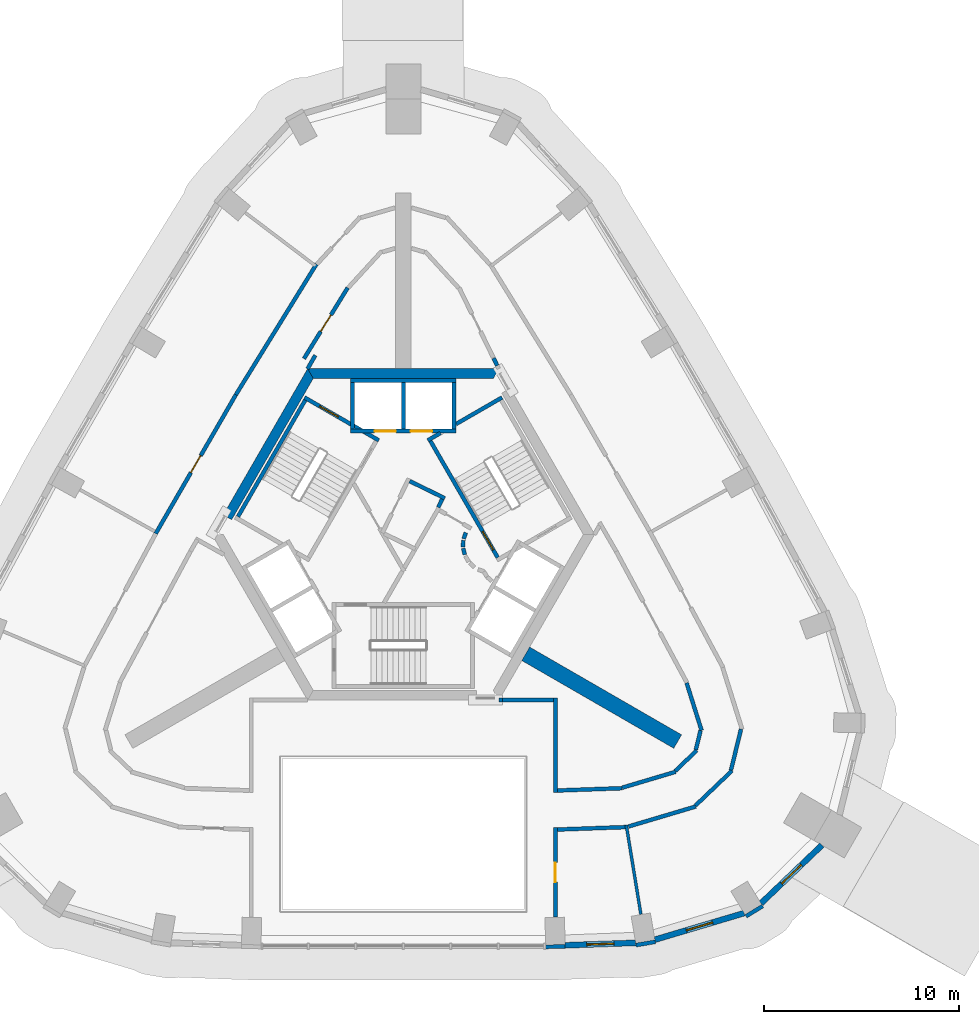
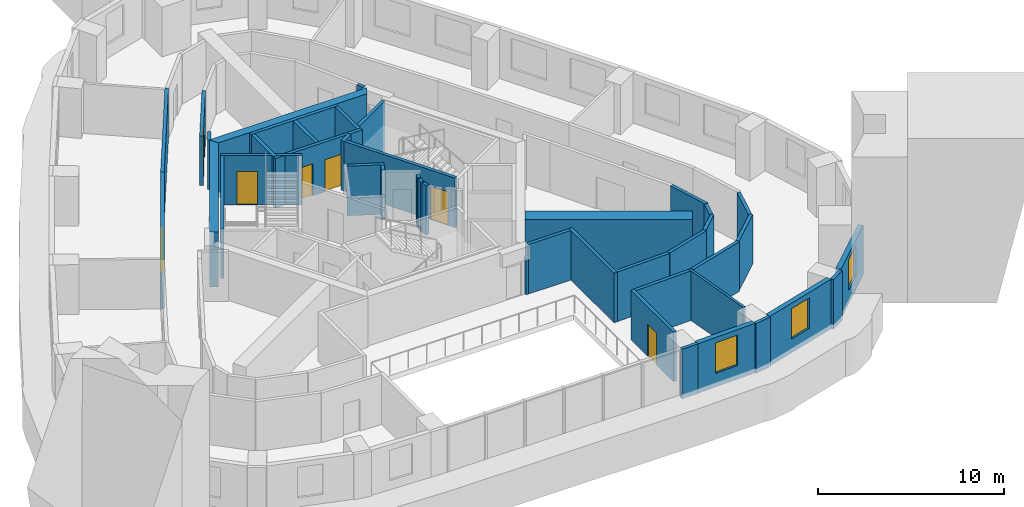
# One storey, part 5 of 11: 43 walls, 7 doors, 3 windows, 10 openings.
"""IFC4 building model written with IfcOpenShell, lengths in metres."""

from ifc_helpers import new_model, si_unit, direction, frame, frame_2d, origin, place, context, subcontext, project, spatial, polyline, rectangle, outline, extrude, material, layer, layer_set, type_object, element, fill, save


model = new_model("IFC4")

# Units and contexts
model_context = context("Model", 3, precision=1e-05, world=origin(), true_north=direction((0.0, 1.0)))
body_context = subcontext(model_context, "Body", "Model", "MODEL_VIEW")
ifc_project = project(units=[si_unit("LENGTHUNIT", "METRE"), si_unit("AREAUNIT", "SQUARE_METRE"), si_unit("VOLUMEUNIT", "CUBIC_METRE"), si_unit("PLANEANGLEUNIT", "RADIAN"), si_unit("MASSUNIT", "GRAM", prefix="KILO")], contexts=[model_context])

# Site, building, storey
site_placement = place(None, origin())
site = spatial("IfcSite", under=ifc_project, at=site_placement, CompositionType="ELEMENT")
building_placement = place(site_placement, origin())
building = spatial("IfcBuilding", under=site, at=building_placement, Name="Entoto Arch Interchange Tower", CompositionType="ELEMENT")
storey_placement = place(building_placement, frame((0.0, 0.0, 308.0)))
storey = spatial("IfcBuildingStorey", under=building, at=storey_placement, Name="L72", CompositionType="ELEMENT", Elevation=308.0)

# Walls
ifc_material_1 = material(Name="Concrete C40/50", Category="concrete")
ifc_layer_1 = layer(ifc_material_1, 0.800048828125)
ifc_layer_set_1 = layer_set([ifc_layer_1], Name="Concrete C40/50")
wall_type_1 = type_object("IfcWallType", Name="Buttress wall 800 C40/50", PredefinedType="SHEAR", material=ifc_layer_set_1)
wall_1_placement = place(storey_placement, frame((6.279052734375, -3.625, -0.340087890625), z_axis=(0.0, 0.0, 1.0), x_axis=(0.866017533419, -0.500013631625, 0.0)))
element("IfcWall", 1, at=wall_1_placement, inside=storey, type_object=wall_type_1, Name="Buttress wall SE L72", PredefinedType="SHEAR", context=body_context, shape_type="SweptSolid", body=[
    extrude(rectangle(XDim=8.999755859375, YDim=0.800048828125, at=frame_2d((4.5, 0.0))), origin(), (0.0, 0.0, 1.0), 3.60009765625),
])
ifc_layer_2 = layer(ifc_material_1, 0.5)
ifc_layer_set_2 = layer_set([ifc_layer_2], Name="Concrete C40/50")
wall_type_2 = type_object("IfcWallType", Name="Core wall 500 C40/50", PredefinedType="SHEAR", material=ifc_layer_set_2)
wall_2_placement = place(storey_placement, frame((0.0, 0.0, -0.340087890625)))
element("IfcWall", 2, at=wall_2_placement, inside=storey, type_object=wall_type_2, Name="Core wall N L72", PredefinedType="SHEAR", context=body_context, shape_type="SweptSolid", body=[
    extrude(outline(polyline([(4.906982421875, 11.0), (-4.906982421875, 11.0), (-4.618896484375, 10.5), (4.618896484375, 10.5), (4.906982421875, 11.0)])), origin(), (0.0, 0.0, 1.0), 3.60009765625),
])
wall_3_placement = place(storey_placement, frame((0.0, 0.0, -0.340087890625)))
element("IfcWall", 3, at=wall_3_placement, inside=storey, type_object=wall_type_2, Name="Core wall NW L72", PredefinedType="SHEAR", context=body_context, shape_type="SweptSolid", body=[
    extrude(outline(polyline([(-9.236083984375, 3.501953125), (-8.802978515625, 3.2529296875), (-4.618896484375, 10.5), (-4.906982421875, 11.0), (-9.236083984375, 3.501953125)])), origin(), (0.0, 0.0, 1.0), 3.60009765625),
])

# Wall, openings, doors
ifc_layer_3 = layer(ifc_material_1, 0.199951171875)
ifc_layer_set_3 = layer_set([ifc_layer_3], Name="Concrete C40/50")
wall_type_3 = type_object("IfcWallType", Name="LIFT SHAFT WALL 200", PredefinedType="STANDARD", material=ifc_layer_set_3)
wall_4_placement = place(storey_placement, frame((2.699951171875, 7.800048828125, 0.0), z_axis=(0.0, 0.0, 1.0), x_axis=(-1.0, 0.0, 0.0)))
wall_4 = element("IfcWall", 4, at=wall_4_placement, inside=storey, type_object=wall_type_3, Name="Shaft wall N1 front", PredefinedType="STANDARD", context=body_context, shape_type="SweptSolid", body=[
    extrude(rectangle(XDim=5.39990234375, YDim=0.199951171875, at=frame_2d((2.699951171875, 0.0))), origin(), (0.0, 0.0, 1.0), 3.260009765625),
])
opening_1_placement = place(wall_4_placement, frame((1.22509765625, 0.0, 0.0)))
opening_1 = element("IfcOpeningElement", 5, at=opening_1_placement, cuts=wall_4, Name="Opening LD-HR1-L72", PredefinedType="OPENING", context=body_context, shape_type="SweptSolid", body=[
    extrude(rectangle(XDim=1.10009765625, YDim=2.10009765625, at=frame_2d((0.550048828125, 1.050048828125))), frame((0.0, 0.10986328125, 0.0), z_axis=(0.0, -1.0, 0.0), x_axis=(1.0, 0.0, 0.0)), (0.0, 0.0, 1.0), 0.219970703125),
])
opening_2_placement = place(wall_4_placement, frame((3.074951171875, 0.0, 0.0)))
opening_2 = element("IfcOpeningElement", 6, at=opening_2_placement, cuts=wall_4, Name="Opening LD-HR2-L72", PredefinedType="OPENING", context=body_context, shape_type="SweptSolid", body=[
    extrude(rectangle(XDim=1.10009765625, YDim=2.10009765625, at=frame_2d((0.550048828125, 1.050048828125))), frame((0.0, 0.10986328125, 0.0), z_axis=(0.0, -1.0, 0.0), x_axis=(1.0, 0.0, 0.0)), (0.0, 0.0, 1.0), 0.219970703125),
])
ifc_material_2 = material(Name="Stainless steel 1.4301 panels", Category="steel")
door_type_1 = type_object("IfcDoorType", Name="LIFT LANDING DOOR LD1 1100x2100", OperationType="SLIDING_TO_LEFT", PredefinedType="DOOR", material=ifc_material_2)
door_1_placement = place(opening_1_placement, origin())
door_1 = element("IfcDoor", 7, at=door_1_placement, inside=storey, type_object=door_type_1, Name="Lift landing door HR1 L72", OperationType="SLIDING_TO_LEFT", OverallHeight=2.10009765625, OverallWidth=1.10009765625, PredefinedType="DOOR", context=body_context, shape_type="SweptSolid", body=[
    extrude(rectangle(XDim=1.10009765625, YDim=2.10009765625, at=frame_2d((0.550048828125, 1.050048828125))), frame((0.0, 0.02490234375, 0.0), z_axis=(0.0, -1.0, 0.0), x_axis=(1.0, 0.0, 0.0)), (0.0, 0.0, 1.0), 0.050048828125),
])
fill(opening_1, door_1)
door_2_placement = place(opening_2_placement, origin())
door_2 = element("IfcDoor", 8, at=door_2_placement, inside=storey, type_object=door_type_1, Name="Lift landing door HR2 L72", OperationType="SLIDING_TO_LEFT", OverallHeight=2.10009765625, OverallWidth=1.10009765625, PredefinedType="DOOR", context=body_context, shape_type="SweptSolid", body=[
    extrude(rectangle(XDim=1.10009765625, YDim=2.10009765625, at=frame_2d((0.550048828125, 1.050048828125))), frame((0.0, 0.02490234375, 0.0), z_axis=(0.0, -1.0, 0.0), x_axis=(1.0, 0.0, 0.0)), (0.0, 0.0, 1.0), 0.050048828125),
])
fill(opening_2, door_2)

# Walls
wall_5_placement = place(storey_placement, frame((2.699951171875, 10.39990234375, 0.0), z_axis=(0.0, 0.0, 1.0), x_axis=(-1.0, 0.0, 0.0)))
element("IfcWall", 9, at=wall_5_placement, inside=storey, type_object=wall_type_3, Name="Shaft wall N1 back", PredefinedType="STANDARD", context=body_context, shape_type="SweptSolid", body=[
    extrude(rectangle(XDim=5.39990234375, YDim=0.199951171875, at=frame_2d((2.699951171875, 0.0))), origin(), (0.0, 0.0, 1.0), 3.260009765625),
])
for number, where, z_axis, x_axis, name in (
    (10, (2.60009765625, 7.89990234375, 0.0), (0.0, 0.0, 1.0), (0.0, 1.0, 0.0), "Shaft wall N1 cross 1"),
    (11, (0.0, 7.89990234375, 0.0), (0.0, 0.0, 1.0), (0.0, 1.0, 0.0), "Shaft wall N1 cross 2"),
    (12, (-2.60009765625, 7.89990234375, 0.0), (0.0, 0.0, 1.0), (0.0, 1.0, 0.0), "Shaft wall N1 cross 3"),
):
    element("IfcWall", number, at=place(storey_placement, frame(where, z_axis=z_axis, x_axis=x_axis)), inside=storey, type_object=wall_type_3, Name=name, PredefinedType="STANDARD", context=body_context, shape_type="SweptSolid", body=[
        extrude(rectangle(XDim=2.400146484375, YDim=0.199951171875, at=frame_2d((1.2001953125, 0.0))), origin(), (0.0, 0.0, 1.0), 3.260009765625),
    ])
ifc_material_3 = material(Name="Gypsum board partition on steel studs", Category="steel")
ifc_layer_4 = layer(ifc_material_3, 0.14990234375)
ifc_layer_set_4 = layer_set([ifc_layer_4], Name="Gypsum board partition on steel studs")
wall_type_4 = type_object("IfcWallType", Name="PARTITION 150", PredefinedType="PARTITIONING", material=ifc_layer_set_4)
wall_6_placement = place(storey_placement, frame((11.43798828125, -12.4140625, 0.0), z_axis=(0.0, 0.0, 1.0), x_axis=(0.161576343941, -0.986860215572, 0.0)))
element("IfcWall", 13, at=wall_6_placement, inside=storey, type_object=wall_type_4, Name="wall:L72:p069", PredefinedType="PARTITIONING", context=body_context, shape_type="SweptSolid", body=[
    extrude(rectangle(XDim=4.629638671875, YDim=0.14990234375, at=frame_2d((2.31494140625, 0.0))), origin(), (0.0, 0.0, 1.0), 3.260009765625),
])
ifc_layer_5 = layer(ifc_material_3, 0.199951171875)
ifc_layer_set_5 = layer_set([ifc_layer_5], Name="Gypsum board partition on steel studs")
wall_type_5 = type_object("IfcWallType", Name="PARTITION 200", PredefinedType="PARTITIONING", material=ifc_layer_set_5)
wall_7_placement = place(storey_placement, frame((1.7900390625, 3.887939453125, 0.0), z_axis=(0.0, 0.0, 1.0), x_axis=(0.437807406823, 0.899068781869, 0.0)))
element("IfcWall", 14, at=wall_7_placement, inside=storey, type_object=wall_type_5, Name="wall:L72:p002", PredefinedType="PARTITIONING", context=body_context, shape_type="SweptSolid", body=[
    extrude(rectangle(XDim=0.468505859375, YDim=0.199951171875, at=frame_2d((0.234375, 0.0))), origin(), (0.0, 0.0, 1.0), 3.260009765625),
])
wall_8_placement = place(storey_placement, frame((2.1279296875, 4.35498046875, 0.0), z_axis=(0.0, 0.0, 1.0), x_axis=(-0.898876404494, 0.438202247191, 0.0)))
element("IfcWall", 15, at=wall_8_placement, inside=storey, type_object=wall_type_5, Name="wall:L72:p003", PredefinedType="PARTITIONING", context=body_context, shape_type="SweptSolid", body=[
    extrude(rectangle(XDim=1.9990234375, YDim=0.199951171875, at=frame_2d((0.99951171875, 0.0))), origin(), (0.0, 0.0, 1.0), 3.260009765625),
])

# Wall, opening, door
wall_9_placement = place(storey_placement, frame((-2.85205078125, 15.152099609375, 0.0), z_axis=(0.0, 0.0, 1.0), x_axis=(-0.525050105661, -0.851071316956, 0.0)))
wall_9 = element("IfcWall", 16, at=wall_9_placement, inside=storey, type_object=wall_type_5, Name="wall:L72:p012", PredefinedType="PARTITIONING", context=body_context, shape_type="SweptSolid", body=[
    extrude(rectangle(XDim=4.273681640625, YDim=0.199951171875, at=frame_2d((2.13671875, 0.0))), origin(), (0.0, 0.0, 1.0), 3.260009765625),
])
opening_3_placement = place(wall_9_placement, frame((1.636962890625, 0.0, 0.0)))
opening_3 = element("IfcOpeningElement", 17, at=opening_3_placement, cuts=wall_9, Name="Opening L72-D10", PredefinedType="OPENING", context=body_context, shape_type="SweptSolid", body=[
    extrude(rectangle(XDim=1.0, YDim=2.10009765625, at=frame_2d((0.5, 1.050048828125))), frame((0.0, 0.10986328125, 0.0), z_axis=(0.0, -1.0, 0.0), x_axis=(1.0, 0.0, 0.0)), (0.0, 0.0, 1.0), 0.219970703125),
])
ifc_material_4 = material(Name="Timber door leaf in Steel S235 frame", Category="steel")
door_type_2 = type_object("IfcDoorType", Name="DOOR DS-10 1000x2100", OperationType="SINGLE_SWING_LEFT", PredefinedType="DOOR", material=ifc_material_4)
door_3_placement = place(opening_3_placement, origin())
door_3 = element("IfcDoor", 18, at=door_3_placement, inside=storey, type_object=door_type_2, Name="door:L72:10", OperationType="SINGLE_SWING_LEFT", OverallHeight=2.10009765625, OverallWidth=1.0, PredefinedType="DOOR", context=body_context, shape_type="SweptSolid", body=[
    extrude(rectangle(XDim=1.0, YDim=2.10009765625, at=frame_2d((0.5, 1.050048828125))), frame((0.0, 0.02490234375, 0.0), z_axis=(0.0, -1.0, 0.0), x_axis=(1.0, 0.0, 0.0)), (0.0, 0.0, 1.0), 0.050048828125),
])
fill(opening_3, door_3)

# Walls
wall_10_placement = place(storey_placement, frame((-4.512939453125, 11.68701171875, 0.0), z_axis=(0.0, 0.0, 1.0), x_axis=(-0.499556546863, -0.866281280235, 0.0)))
element("IfcWall", 19, at=wall_10_placement, inside=storey, type_object=wall_type_5, Name="wall:L72:p013", PredefinedType="PARTITIONING", context=body_context, shape_type="SweptSolid", body=[
    extrude(rectangle(XDim=0.806884765625, YDim=0.199951171875, at=frame_2d((0.4033203125, 0.0))), origin(), (0.0, 0.0, 1.0), 3.260009765625),
])
wall_11_placement = place(storey_placement, frame((7.89990234375, -10.636962890625, 0.0), z_axis=(0.0, 0.0, 1.0), x_axis=(0.999372900517, 0.035409119054, 0.0)))
element("IfcWall", 20, at=wall_11_placement, inside=storey, type_object=wall_type_5, Name="wall:L72:p014", PredefinedType="PARTITIONING", context=body_context, shape_type="SweptSolid", body=[
    extrude(rectangle(XDim=3.330322265625, YDim=0.199951171875, at=frame_2d((1.6650390625, 0.0))), origin(), (0.0, 0.0, 1.0), 3.260009765625),
])
wall_12_placement = place(storey_placement, frame((11.22412109375, -10.493896484375, 0.0), z_axis=(0.0, 0.0, 1.0), x_axis=(0.958417413979, 0.285370041492, 0.0)))
element("IfcWall", 21, at=wall_12_placement, inside=storey, type_object=wall_type_5, Name="wall:L72:p015", PredefinedType="PARTITIONING", context=body_context, shape_type="SweptSolid", body=[
    extrude(rectangle(XDim=2.865966796875, YDim=0.199951171875, at=frame_2d((1.43310546875, 0.0))), origin(), (0.0, 0.0, 1.0), 3.260009765625),
])
wall_13_placement = place(storey_placement, frame((13.947021484375, -9.635986328125, 0.0), z_axis=(0.0, 0.0, 1.0), x_axis=(0.723283043556, 0.690551691696, 0.0)))
element("IfcWall", 22, at=wall_13_placement, inside=storey, type_object=wall_type_5, Name="wall:L72:p016", PredefinedType="PARTITIONING", context=body_context, shape_type="SweptSolid", body=[
    extrude(rectangle(XDim=1.529052734375, YDim=0.199951171875, at=frame_2d((0.7646484375, 0.0))), origin(), (0.0, 0.0, 1.0), 3.260009765625),
])
wall_14_placement = place(storey_placement, frame((15.00390625, -8.552001953125, 0.0), z_axis=(0.0, 0.0, 1.0), x_axis=(0.237373129266, 0.971418549083, 0.0)))
element("IfcWall", 23, at=wall_14_placement, inside=storey, type_object=wall_type_5, Name="wall:L72:p017", PredefinedType="PARTITIONING", context=body_context, shape_type="SweptSolid", body=[
    extrude(rectangle(XDim=1.0244140625, YDim=0.199951171875, at=frame_2d((0.51220703125, 0.0))), origin(), (0.0, 0.0, 1.0), 3.260009765625),
])
wall_15_placement = place(storey_placement, frame((15.300048828125, -7.554931640625, 0.0), z_axis=(0.0, 0.0, 1.0), x_axis=(-0.300501248013, 0.953781421471, 0.0)))
element("IfcWall", 24, at=wall_15_placement, inside=storey, type_object=wall_type_5, Name="wall:L72:p018", PredefinedType="PARTITIONING", context=body_context, shape_type="SweptSolid", body=[
    extrude(rectangle(XDim=2.55908203125, YDim=0.199951171875, at=frame_2d((1.279541015625, 0.0))), origin(), (0.0, 0.0, 1.0), 3.260009765625),
])
wall_16_placement = place(storey_placement, frame((11.47900390625, -12.511962890625, 0.0), z_axis=(0.0, 0.0, 1.0), x_axis=(-0.999371508837, -0.035448375484, 0.0)))
element("IfcWall", 25, at=wall_16_placement, inside=storey, type_object=wall_type_5, Name="wall:L72:p030", PredefinedType="PARTITIONING", context=body_context, shape_type="SweptSolid", body=[
    extrude(rectangle(XDim=3.581298828125, YDim=0.199951171875, at=frame_2d((1.79052734375, 0.0))), origin(), (0.0, 0.0, 1.0), 3.260009765625),
])
wall_17_placement = place(storey_placement, frame((17.322021484375, -7.488037109375, 0.0), z_axis=(0.0, 0.0, 1.0), x_axis=(-0.23664760587, -0.971595548897, 0.0)))
element("IfcWall", 26, at=wall_17_placement, inside=storey, type_object=wall_type_5, Name="wall:L72:p033", PredefinedType="PARTITIONING", context=body_context, shape_type="SweptSolid", body=[
    extrude(rectangle(XDim=2.16748046875, YDim=0.199951171875, at=frame_2d((1.083740234375, 0.0))), origin(), (0.0, 0.0, 1.0), 3.260009765625),
])
wall_18_placement = place(storey_placement, frame((16.85693359375, -9.6220703125, 0.0), z_axis=(0.0, 0.0, 1.0), x_axis=(-0.723099256445, -0.690744138831, 0.0)))
element("IfcWall", 27, at=wall_18_placement, inside=storey, type_object=wall_type_5, Name="wall:L72:p034", PredefinedType="PARTITIONING", context=body_context, shape_type="SweptSolid", body=[
    extrude(rectangle(XDim=2.595703125, YDim=0.199951171875, at=frame_2d((1.2978515625, 0.0))), origin(), (0.0, 0.0, 1.0), 3.260009765625),
])
wall_19_placement = place(storey_placement, frame((15.00390625, -11.4560546875, 0.0), z_axis=(0.0, 0.0, 1.0), x_axis=(-0.958459796003, -0.285227662485, 0.0)))
element("IfcWall", 28, at=wall_19_placement, inside=storey, type_object=wall_type_5, Name="wall:L72:p035", PredefinedType="PARTITIONING", context=body_context, shape_type="SweptSolid", body=[
    extrude(rectangle(XDim=3.603515625, YDim=0.199951171875, at=frame_2d((1.8017578125, 0.0))), origin(), (0.0, 0.0, 1.0), 3.260009765625),
])

# Wall, opening, door
wall_20_placement = place(storey_placement, frame((-12.700927734375, 2.5400390625, 0.0), z_axis=(0.0, 0.0, 1.0), x_axis=(0.499946799636, 0.86605611685, 0.0)))
wall_20 = element("IfcWall", 29, at=wall_20_placement, inside=storey, type_object=wall_type_5, Name="wall:L72:p042", PredefinedType="PARTITIONING", context=body_context, shape_type="SweptSolid", body=[
    extrude(rectangle(XDim=8.22705078125, YDim=0.199951171875, at=frame_2d((4.113525390625, 0.0))), origin(), (0.0, 0.0, 1.0), 3.260009765625),
])
opening_4_placement = place(wall_20_placement, frame((3.613037109375, 0.0, 0.0)))
opening_4 = element("IfcOpeningElement", 30, at=opening_4_placement, cuts=wall_20, Name="Opening L72-D05", PredefinedType="OPENING", context=body_context, shape_type="SweptSolid", body=[
    extrude(rectangle(XDim=1.0, YDim=2.10009765625, at=frame_2d((0.5, 1.050048828125))), frame((0.0, 0.10986328125, 0.0), z_axis=(0.0, -1.0, 0.0), x_axis=(1.0, 0.0, 0.0)), (0.0, 0.0, 1.0), 0.219970703125),
])
door_4_placement = place(opening_4_placement, origin())
door_4 = element("IfcDoor", 31, at=door_4_placement, inside=storey, type_object=door_type_2, Name="door:L72:05", OperationType="SINGLE_SWING_RIGHT", OverallHeight=2.10009765625, OverallWidth=1.0, PredefinedType="DOOR", context=body_context, shape_type="SweptSolid", body=[
    extrude(rectangle(XDim=1.0, YDim=2.10009765625, at=frame_2d((0.5, 1.050048828125))), frame((0.0, 0.02490234375, 0.0), z_axis=(0.0, -1.0, 0.0), x_axis=(1.0, 0.0, 0.0)), (0.0, 0.0, 1.0), 0.050048828125),
])
fill(opening_4, door_4)

# Walls
wall_21_placement = place(storey_placement, frame((-8.587890625, 9.6650390625, 0.0), z_axis=(0.0, 0.0, 1.0), x_axis=(0.525142215688, 0.851014484778, 0.0)))
element("IfcWall", 32, at=wall_21_placement, inside=storey, type_object=wall_type_5, Name="wall:L72:p043", PredefinedType="PARTITIONING", context=body_context, shape_type="SweptSolid", body=[
    extrude(rectangle(XDim=7.871826171875, YDim=0.199951171875, at=frame_2d((3.93603515625, 0.0))), origin(), (0.0, 0.0, 1.0), 3.260009765625),
])
wall_22_placement = place(storey_placement, frame((3.2080078125, 2.592041015625, 0.0), z_axis=(0.0, 0.0, 1.0), x_axis=(-0.337388820924, -0.941365382578, 0.0)))
element("IfcWall", 33, at=wall_22_placement, inside=storey, type_object=wall_type_5, Name="wall:L72:p053", PredefinedType="PARTITIONING", context=body_context, shape_type="SweptSolid", body=[
    extrude(rectangle(XDim=0.337890625, YDim=0.199951171875, at=frame_2d((0.1689453125, 0.0))), origin(), (0.0, 0.0, 1.0), 3.260009765625),
])
wall_23_placement = place(storey_placement, frame((3.0791015625, 2.198974609375, 0.0), z_axis=(0.0, 0.0, 1.0), x_axis=(-0.047771483479, -0.998858290933, 0.0)))
element("IfcWall", 34, at=wall_23_placement, inside=storey, type_object=wall_type_5, Name="wall:L72:p054", PredefinedType="PARTITIONING", context=body_context, shape_type="SweptSolid", body=[
    extrude(rectangle(XDim=0.33740234375, YDim=0.199951171875, at=frame_2d((0.168701171875, 0.0))), origin(), (0.0, 0.0, 1.0), 3.260009765625),
])
wall_24_placement = place(storey_placement, frame((3.070068359375, 1.785888671875, 0.0), z_axis=(0.0, 0.0, 1.0), x_axis=(0.242705583207, -0.970099994784, 0.0)))
element("IfcWall", 35, at=wall_24_placement, inside=storey, type_object=wall_type_5, Name="wall:L72:p055", PredefinedType="PARTITIONING", context=body_context, shape_type="SweptSolid", body=[
    extrude(rectangle(XDim=0.337890625, YDim=0.199951171875, at=frame_2d((0.1689453125, 0.0))), origin(), (0.0, 0.0, 1.0), 3.260009765625),
])
wall_25_placement = place(storey_placement, frame((4.907958984375, -5.9990234375, 0.0), z_axis=(0.0, 0.0, 1.0), x_axis=(1.0, 0.0, 0.0)))
element("IfcWall", 36, at=wall_25_placement, inside=storey, type_object=wall_type_5, Name="wall:L72:p062", PredefinedType="PARTITIONING", context=body_context, shape_type="SweptSolid", body=[
    extrude(rectangle(XDim=0.16796875, YDim=0.199951171875, at=frame_2d((0.083984375, 0.0))), origin(), (0.0, 0.0, 1.0), 2.39990234375),
])
wall_26_placement = place(storey_placement, frame((7.800048828125, -5.89892578125, 0.0), z_axis=(0.0, 0.0, 1.0), x_axis=(0.0, -1.0, 0.0)))
element("IfcWall", 37, at=wall_26_placement, inside=storey, type_object=wall_type_5, Name="wall:L72:p063", PredefinedType="PARTITIONING", context=body_context, shape_type="SweptSolid", body=[
    extrude(rectangle(XDim=4.842041015625, YDim=0.199951171875, at=frame_2d((2.4208984375, 0.0))), origin(), (0.0, 0.0, 1.0), 3.260009765625),
])

# Wall, opening, door
wall_27_placement = place(storey_placement, frame((7.800048828125, -12.5419921875, 0.0), z_axis=(0.0, 0.0, 1.0), x_axis=(0.0, -1.0, 0.0)))
wall_27 = element("IfcWall", 38, at=wall_27_placement, inside=storey, type_object=wall_type_5, Name="wall:L72:p066", PredefinedType="PARTITIONING", context=body_context, shape_type="SweptSolid", body=[
    extrude(rectangle(XDim=4.583984375, YDim=0.199951171875, at=frame_2d((2.2919921875, 0.0))), origin(), (0.0, 0.0, 1.0), 3.260009765625),
])
opening_5_placement = place(wall_27_placement, frame((1.7919921875, 0.0, 0.0)))
opening_5 = element("IfcOpeningElement", 39, at=opening_5_placement, cuts=wall_27, Name="Opening L72-D01", PredefinedType="OPENING", context=body_context, shape_type="SweptSolid", body=[
    extrude(rectangle(XDim=1.0, YDim=2.10009765625, at=frame_2d((0.5, 1.050048828125))), frame((0.0, 0.10986328125, 0.0), z_axis=(0.0, -1.0, 0.0), x_axis=(1.0, 0.0, 0.0)), (0.0, 0.0, 1.0), 0.219970703125),
])
door_5_placement = place(opening_5_placement, origin())
door_5 = element("IfcDoor", 40, at=door_5_placement, inside=storey, type_object=door_type_2, Name="door:L72:01", OperationType="SINGLE_SWING_LEFT", OverallHeight=2.10009765625, OverallWidth=1.0, PredefinedType="DOOR", context=body_context, shape_type="SweptSolid", body=[
    extrude(rectangle(XDim=1.0, YDim=2.10009765625, at=frame_2d((0.5, 1.050048828125))), frame((0.0, 0.02490234375, 0.0), z_axis=(0.0, -1.0, 0.0), x_axis=(1.0, 0.0, 0.0)), (0.0, 0.0, 1.0), 0.050048828125),
])
fill(opening_5, door_5)

# Walls
wall_28_placement = place(storey_placement, frame((4.820068359375, 11.154052734375, 0.0), z_axis=(0.0, 0.0, 1.0), x_axis=(-0.439660677009, 0.898163954461, 0.0)))
element("IfcWall", 41, at=wall_28_placement, inside=storey, type_object=wall_type_5, Name="wall:L72:p008", PredefinedType="PARTITIONING", context=body_context, shape_type="SweptSolid", body=[
    extrude(rectangle(XDim=0.427490234375, YDim=0.199951171875, at=frame_2d((0.2138671875, 0.0))), origin(), (0.0, 0.0, 1.0), 3.260009765625),
])
wall_29_placement = place(storey_placement, frame((5.075927734375, -5.9990234375, 0.0), z_axis=(0.0, 0.0, 1.0), x_axis=(1.0, 0.0, 0.0)))
element("IfcWall", 42, at=wall_29_placement, inside=storey, type_object=wall_type_5, Name="wall:L72:p062", PredefinedType="PARTITIONING", context=body_context, shape_type="SweptSolid", body=[
    extrude(rectangle(XDim=2.6240234375, YDim=0.199951171875, at=frame_2d((1.31201171875, 0.0))), origin(), (0.0, 0.0, 1.0), 3.260009765625),
])
ifc_layer_6 = layer(ifc_material_1, 0.199951171875)
ifc_layer_set_6 = layer_set([ifc_layer_6], Name="Concrete C40/50")
wall_type_6 = type_object("IfcWallType", Name="STAIR ENCLOSURE WALL 200", PredefinedType="STANDARD", material=ifc_layer_set_6)
wall_30_placement = place(storey_placement, frame((2.699951171875, 8.157958984375, 0.0), z_axis=(0.0, 0.0, 1.0), x_axis=(0.86611865017, 0.499838457731, 0.0)))
element("IfcWall", 43, at=wall_30_placement, inside=storey, type_object=wall_type_6, Name="Stair wall ST-NE far", PredefinedType="STANDARD", context=body_context, shape_type="SweptSolid", body=[
    extrude(rectangle(XDim=2.73291015625, YDim=0.199951171875, at=frame_2d((1.366455078125, 0.0))), origin(), (0.0, 0.0, 1.0), 3.260009765625),
])
wall_31_placement = place(storey_placement, frame((1.256103515625, 7.323974609375, 0.0), z_axis=(0.0, 0.0, 1.0), x_axis=(0.865915093549, 0.500191014278, 0.0)))
element("IfcWall", 44, at=wall_31_placement, inside=storey, type_object=wall_type_6, Name="Stair wall ST-NE far return", PredefinedType="STANDARD", context=body_context, shape_type="SweptSolid", body=[
    extrude(rectangle(XDim=0.751708984375, YDim=0.199951171875, at=frame_2d((0.3759765625, 0.0))), origin(), (0.0, 0.0, 1.0), 3.260009765625),
])

# Wall, opening, door
wall_32_placement = place(storey_placement, frame((4.843017578125, 1.31201171875, 0.0), z_axis=(0.0, 0.0, 1.0), x_axis=(-0.499963383562, 0.866046543262, 0.0)))
wall_32 = element("IfcWall", 45, at=wall_32_placement, inside=storey, type_object=wall_type_6, Name="Stair wall ST-NE hall", PredefinedType="STANDARD", context=body_context, shape_type="SweptSolid", body=[
    extrude(rectangle(XDim=6.900390625, YDim=0.199951171875, at=frame_2d((3.4501953125, 0.0))), origin(), (0.0, 0.0, 1.0), 3.260009765625),
])
opening_6_placement = place(wall_32_placement, frame((0.449951171875, 0.0, 0.0)))
opening_6 = element("IfcOpeningElement", 46, at=opening_6_placement, cuts=wall_32, Name="Opening SD-ST-NE-L72", PredefinedType="OPENING", context=body_context, shape_type="SweptSolid", body=[
    extrude(rectangle(XDim=1.10009765625, YDim=2.199951171875, at=frame_2d((0.550048828125, 1.10009765625))), frame((0.0, 0.10986328125, 0.0), z_axis=(0.0, -1.0, 0.0), x_axis=(1.0, 0.0, 0.0)), (0.0, 0.0, 1.0), 0.219970703125),
])
ifc_material_5 = material(Name="Steel S235", Category="steel")
door_type_3 = type_object("IfcDoorType", Name="STAIR DOOR SD1 1100x2200", OperationType="SINGLE_SWING_LEFT", PredefinedType="DOOR", material=ifc_material_5)
door_6_placement = place(opening_6_placement, origin())
door_6 = element("IfcDoor", 47, at=door_6_placement, inside=storey, type_object=door_type_3, Name="Stair door ST-NE L72", OperationType="SINGLE_SWING_LEFT", OverallHeight=2.199951171875, OverallWidth=1.10009765625, PredefinedType="DOOR", context=body_context, shape_type="SweptSolid", body=[
    extrude(rectangle(XDim=1.10009765625, YDim=2.199951171875, at=frame_2d((0.550048828125, 1.10009765625))), frame((0.0, 0.02490234375, 0.0), z_axis=(0.0, -1.0, 0.0), x_axis=(1.0, 0.0, 0.0)), (0.0, 0.0, 1.0), 0.050048828125),
])
fill(opening_6, door_6)

wall_33_placement = place(storey_placement, frame((-1.256103515625, 7.323974609375, 0.0), z_axis=(0.0, 0.0, 1.0), x_axis=(-0.866046073146, 0.499964197906, 0.0)))
wall_33 = element("IfcWall", 48, at=wall_33_placement, inside=storey, type_object=wall_type_6, Name="Stair wall ST-NW near", PredefinedType="STANDARD", context=body_context, shape_type="SweptSolid", body=[
    extrude(rectangle(XDim=4.400146484375, YDim=0.199951171875, at=frame_2d((2.2001953125, 0.0))), origin(), (0.0, 0.0, 1.0), 3.260009765625),
])
opening_7_placement = place(wall_33_placement, frame((2.39990234375, 0.0, 0.0)))
opening_7 = element("IfcOpeningElement", 49, at=opening_7_placement, cuts=wall_33, Name="Opening SD-ST-NW-L72-E", PredefinedType="OPENING", context=body_context, shape_type="SweptSolid", body=[
    extrude(rectangle(XDim=1.10009765625, YDim=2.199951171875, at=frame_2d((0.550048828125, 1.10009765625))), frame((0.0, 0.10986328125, 0.0), z_axis=(0.0, -1.0, 0.0), x_axis=(1.0, 0.0, 0.0)), (0.0, 0.0, 1.0), 0.219970703125),
])
door_7_placement = place(opening_7_placement, origin())
door_7 = element("IfcDoor", 50, at=door_7_placement, inside=storey, type_object=door_type_3, Name="Stair door ST-NW L72 end", OperationType="SINGLE_SWING_LEFT", OverallHeight=2.199951171875, OverallWidth=1.10009765625, PredefinedType="DOOR", context=body_context, shape_type="SweptSolid", body=[
    extrude(rectangle(XDim=1.10009765625, YDim=2.199951171875, at=frame_2d((0.550048828125, 1.10009765625))), frame((0.0, 0.02490234375, 0.0), z_axis=(0.0, -1.0, 0.0), x_axis=(1.0, 0.0, 0.0)), (0.0, 0.0, 1.0), 0.050048828125),
])
fill(opening_7, door_7)

# Wall
wall_34_placement = place(storey_placement, frame((-5.030029296875, 9.387939453125, 0.0), z_axis=(0.0, 0.0, 1.0), x_axis=(-0.499978703459, -0.866037698999, 0.0)))
element("IfcWall", 51, at=wall_34_placement, inside=storey, type_object=wall_type_6, Name="Stair wall ST-NW back", PredefinedType="STANDARD", context=body_context, shape_type="SweptSolid", body=[
    extrude(rectangle(XDim=6.900146484375, YDim=0.199951171875, at=frame_2d((3.4501953125, 0.0))), origin(), (0.0, 0.0, 1.0), 3.260009765625),
])

# Wall, opening, window
ifc_material_6 = material(Name="Welded tuff (ignimbrite) cladding, warm buff", Category="masonry")
ifc_layer_7 = layer(ifc_material_6, 0.300048828125)
ifc_layer_set_7 = layer_set([ifc_layer_7], Name="Welded tuff (ignimbrite) cladding, warm buff")
wall_type_7 = type_object("IfcWallType", Name="STONE INFILL WALL 300", PredefinedType="STANDARD", material=ifc_layer_set_7)
wall_35_placement = place(storey_placement, frame((8.2958984375, -18.577880859375, 0.0), z_axis=(0.0, 0.0, 1.0), x_axis=(0.999377185233, 0.035287981473, 0.0)))
wall_35 = element("IfcWall", 52, at=wall_35_placement, inside=storey, type_object=wall_type_7, Name="Facade wall S-03 L72", PredefinedType="STANDARD", context=body_context, shape_type="SweptSolid", body=[
    extrude(rectangle(XDim=3.625244140625, YDim=0.300048828125, at=frame_2d((1.8125, 0.0))), origin(), (0.0, 0.0, 1.0), 3.260009765625),
])
opening_8_placement = place(wall_35_placement, frame((1.113037109375, 0.0, 0.89990234375)))
opening_8 = element("IfcOpeningElement", 53, at=opening_8_placement, cuts=wall_35, Name="Opening WH-B", PredefinedType="OPENING", context=body_context, shape_type="SweptSolid", body=[
    extrude(rectangle(XDim=1.39990234375, YDim=2.0, at=frame_2d((0.699951171875, 1.0))), frame((0.0, 0.16015625, 0.0), z_axis=(0.0, -1.0, 0.0), x_axis=(1.0, 0.0, 0.0)), (0.0, 0.0, 1.0), 0.320068359375),
])
ifc_material_7 = material(Name="Clear glass, low-e double glazed", Category="glass")
window_type = type_object("IfcWindowType", Name="WINDOW WH-B 1400x2000", PartitioningType="DOUBLE_PANEL_VERTICAL", PredefinedType="WINDOW", material=ifc_material_7)
window_1_placement = place(opening_8_placement, origin())
window_1 = element("IfcWindow", 54, at=window_1_placement, inside=storey, type_object=window_type, Name="Window WH-B S-03 L72", OverallHeight=2.0, OverallWidth=1.39990234375, PartitioningType="SINGLE_PANEL", PredefinedType="WINDOW", context=body_context, shape_type="SweptSolid", body=[
    extrude(rectangle(XDim=1.39990234375, YDim=2.0, at=frame_2d((0.699951171875, 1.0))), frame((0.0, 0.030029296875, 0.0), z_axis=(0.0, -1.0, 0.0), x_axis=(1.0, 0.0, 0.0)), (0.0, 0.0, 1.0), 0.06005859375),
])
fill(opening_8, window_1)

wall_36_placement = place(storey_placement, frame((12.904052734375, -18.2890625, 0.0), z_axis=(0.0, 0.0, 1.0), x_axis=(0.95841929886, 0.285363711031, 0.0)))
wall_36 = element("IfcWall", 55, at=wall_36_placement, inside=storey, type_object=wall_type_7, Name="Facade wall SE-01 L72", PredefinedType="STANDARD", context=body_context, shape_type="SweptSolid", body=[
    extrude(rectangle(XDim=4.776611328125, YDim=0.300048828125, at=frame_2d((2.38818359375, 0.0))), origin(), (0.0, 0.0, 1.0), 3.260009765625),
])
opening_9_placement = place(wall_36_placement, frame((1.68798828125, 0.0, 0.89990234375)))
opening_9 = element("IfcOpeningElement", 56, at=opening_9_placement, cuts=wall_36, Name="Opening WH-B", PredefinedType="OPENING", context=body_context, shape_type="SweptSolid", body=[
    extrude(rectangle(XDim=1.39990234375, YDim=2.0, at=frame_2d((0.699951171875, 1.0))), frame((0.0, 0.16015625, 0.0), z_axis=(0.0, -1.0, 0.0), x_axis=(1.0, 0.0, 0.0)), (0.0, 0.0, 1.0), 0.320068359375),
])
window_2_placement = place(opening_9_placement, origin())
window_2 = element("IfcWindow", 57, at=window_2_placement, inside=storey, type_object=window_type, Name="Window WH-B SE-01 L72", OverallHeight=2.0, OverallWidth=1.39990234375, PartitioningType="SINGLE_PANEL", PredefinedType="WINDOW", context=body_context, shape_type="SweptSolid", body=[
    extrude(rectangle(XDim=1.39990234375, YDim=2.0, at=frame_2d((0.699951171875, 1.0))), frame((0.0, 0.030029296875, 0.0), z_axis=(0.0, -1.0, 0.0), x_axis=(1.0, 0.0, 0.0)), (0.0, 0.0, 1.0), 0.06005859375),
])
fill(opening_9, window_2)

wall_37_placement = place(storey_placement, frame((18.346923828125, -16.427001953125, 0.0), z_axis=(0.0, 0.0, 1.0), x_axis=(0.723113419412, 0.690729312152, 0.0)))
wall_37 = element("IfcWall", 58, at=wall_37_placement, inside=storey, type_object=wall_type_7, Name="Facade wall SE-02 L72", PredefinedType="STANDARD", context=body_context, shape_type="SweptSolid", body=[
    extrude(rectangle(XDim=4.327392578125, YDim=0.300048828125, at=frame_2d((2.16357421875, 0.0))), origin(), (0.0, 0.0, 1.0), 3.260009765625),
])
opening_10_placement = place(wall_37_placement, frame((1.464111328125, 0.0, 0.89990234375)))
opening_10 = element("IfcOpeningElement", 59, at=opening_10_placement, cuts=wall_37, Name="Opening WH-B", PredefinedType="OPENING", context=body_context, shape_type="SweptSolid", body=[
    extrude(rectangle(XDim=1.39990234375, YDim=2.0, at=frame_2d((0.699951171875, 1.0))), frame((0.0, 0.16015625, 0.0), z_axis=(0.0, -1.0, 0.0), x_axis=(1.0, 0.0, 0.0)), (0.0, 0.0, 1.0), 0.320068359375),
])
window_3_placement = place(opening_10_placement, origin())
window_3 = element("IfcWindow", 60, at=window_3_placement, inside=storey, type_object=window_type, Name="Window WH-B SE-02 L72", OverallHeight=2.0, OverallWidth=1.39990234375, PartitioningType="SINGLE_PANEL", PredefinedType="WINDOW", context=body_context, shape_type="SweptSolid", body=[
    extrude(rectangle(XDim=1.39990234375, YDim=2.0, at=frame_2d((0.699951171875, 1.0))), frame((0.0, 0.030029296875, 0.0), z_axis=(0.0, -1.0, 0.0), x_axis=(1.0, 0.0, 0.0)), (0.0, 0.0, 1.0), 0.06005859375),
])
fill(opening_10, window_3)

# Walls
ifc_layer_8 = layer(ifc_material_6, 0.199951171875)
ifc_layer_set_8 = layer_set([ifc_layer_8], Name="Welded tuff (ignimbrite) cladding, warm buff")
wall_type_8 = type_object("IfcWallType", Name="STONE PIER CLADDING 200", PredefinedType="STANDARD", material=ifc_layer_set_8)
for number, where, z_axis, x_axis, name in (
    (61, (7.298095703125, -18.656005859375, 0.0), (0.0, 0.0, 1.0), (0.999799669399, 0.020015520725, 0.0), "Stone pier S03 L72"),
    (62, (11.93798828125, -18.56591796875, 0.0), (0.0, 0.0, 1.0), (0.985800545746, 0.167920469293, 0.0), "Stone pier S04 L72"),
):
    element("IfcWall", number, at=place(storey_placement, frame(where, z_axis=z_axis, x_axis=x_axis)), inside=storey, type_object=wall_type_8, Name=name, PredefinedType="STANDARD", context=body_context, shape_type="SweptSolid", body=[
        extrude(rectangle(XDim=1.000244140625, YDim=0.199951171875, at=frame_2d((0.5, 0.0))), origin(), (0.0, 0.0, 1.0), 3.260009765625),
    ])
wall_38_placement = place(storey_placement, frame((17.5791015625, -17.0859375, 0.0), z_axis=(0.0, 0.0, 1.0), x_axis=(0.853679739553, 0.520798331677, 0.0)))
element("IfcWall", 63, at=wall_38_placement, inside=storey, type_object=wall_type_8, Name="Stone pier SE1 L72", PredefinedType="STANDARD", context=body_context, shape_type="SweptSolid", body=[
    extrude(rectangle(XDim=1.00048828125, YDim=0.199951171875, at=frame_2d((0.500244140625, 0.0))), origin(), (0.0, 0.0, 1.0), 3.260009765625),
])

save(model, "model.ifc")
